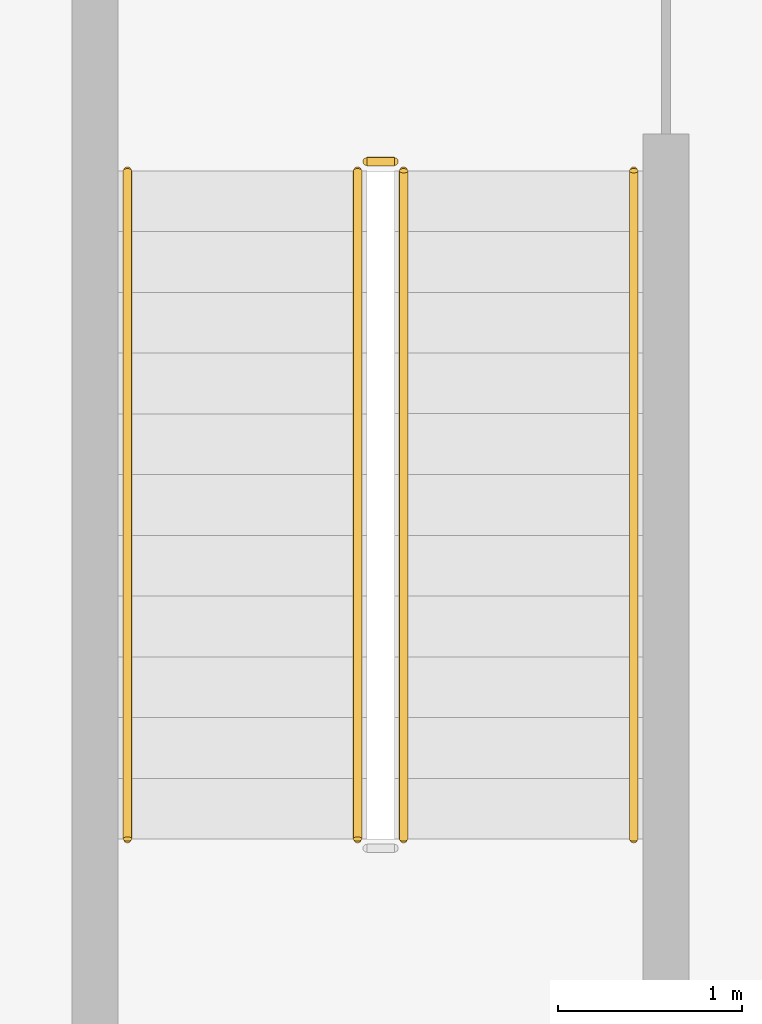
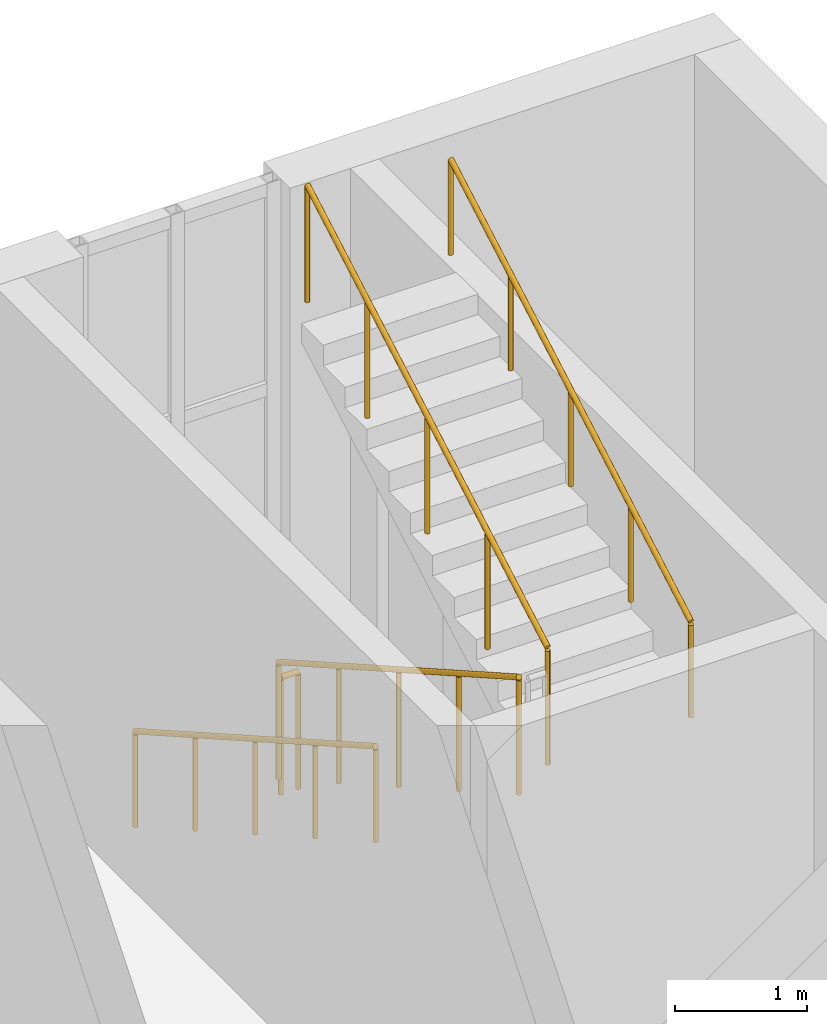
# One storey, part 125 of 131: 5 railings.
"""IFC4 building model written with IfcOpenShell, lengths in metres."""

import ifcopenshell
import ifcopenshell.guid

model = None  # the IFC model being written
_history = None  # IfcOwnerHistory: only IFC2X3 demands one
_inside = {}  # id of a spatial element -> (the spatial element, [elements in it])
_under = {}  # id of a project, library or spatial element -> (it, [spatial elements below it])
_declared = {}  # id of a project -> (the project, [libraries it declares])
_typed = {}  # id of a type object -> (the type object, [elements of that type])
_made_of = {}  # id of a material, layer set ... -> (it, [elements and type objects made of it])


def new_model(schema):
    """Start an empty IFC model of exactly this schema.

    Asked for "IFC4X3", IfcOpenShell would pick the latest addendum, in which some entities
    have other attributes; the version numbers below select the first issue.
    IFC2X3 requires an IfcOwnerHistory on every rooted entity: one is made here for all.
    """
    global model, _history
    if schema == "IFC4X3":
        model = ifcopenshell.file(schema_version=(4, 3, 0, 0))
    else:
        model = ifcopenshell.file(schema=schema)
    _inside.clear()
    _under.clear()
    _declared.clear()
    _typed.clear()
    _made_of.clear()
    _history = None
    if model.schema == "IFC2X3":
        org = make("IfcOrganization", Name="unknown")
        user = make(
            "IfcPersonAndOrganization",
            ThePerson=make("IfcPerson", FamilyName="unknown"),
            TheOrganization=org,
        )
        app = make(
            "IfcApplication",
            ApplicationDeveloper=org,
            Version="unknown",
            ApplicationFullName="unknown",
            ApplicationIdentifier="unknown",
        )
        _history = make(
            "IfcOwnerHistory",
            OwningUser=user,
            OwningApplication=app,
            ChangeAction="ADDED",
            CreationDate=0,
        )
    return model


def make(cls, **values):
    """One entity of the class cls with the attributes given. An attribute that is None is left unset."""
    return model.create_entity(
        cls, **{name: value for name, value in values.items() if value is not None}
    )


def rooted(cls, **values):
    """An entity with a GlobalId (a new one), such as an element, a storey or a relation."""
    return make(cls, GlobalId=ifcopenshell.guid.new(), OwnerHistory=_history, **values)


def si_unit(unit_type, name, prefix=None):
    """IfcSIUnit, for example si_unit("LENGTHUNIT", "METRE", prefix="MILLI")."""
    return make("IfcSIUnit", UnitType=unit_type, Prefix=prefix, Name=name)


def assignment(units):
    """IfcUnitAssignment: the units of a project."""
    return None if units is None else make("IfcUnitAssignment", Units=units)


def point(xyz):
    """IfcCartesianPoint."""
    return None if xyz is None else make("IfcCartesianPoint", Coordinates=xyz)


def direction(xyz):
    """IfcDirection."""
    return None if xyz is None else make("IfcDirection", DirectionRatios=xyz)


def frame(location, z_axis=None, x_axis=None):
    """IfcAxis2Placement3D, a coordinate frame: its origin and axes. An axis left out is left unset."""
    return make(
        "IfcAxis2Placement3D",
        Location=point(location),
        Axis=direction(z_axis),
        RefDirection=direction(x_axis),
    )


def frame_2d(location, x_axis=None):
    """IfcAxis2Placement2D, a coordinate frame in the plane: its origin and x axis."""
    return make(
        "IfcAxis2Placement2D", Location=point(location), RefDirection=direction(x_axis)
    )


def origin():
    """The frame at (0, 0, 0) with its axes left unset."""
    return frame((0.0, 0.0, 0.0))


def origin_2d():
    """The frame at (0, 0) in the plane with its x axis left unset."""
    return frame_2d((0.0, 0.0))


def place(relative_to, where):
    """IfcLocalPlacement: puts the frame where relative to a parent placement (None: the world)."""
    return make(
        "IfcLocalPlacement", PlacementRelTo=relative_to, RelativePlacement=where
    )


def context(
    kind, dimensions, precision=None, world=None, true_north=None, identifier=None
):
    """IfcGeometricRepresentationContext, for example the 3D "Model" context."""
    return make(
        "IfcGeometricRepresentationContext",
        ContextIdentifier=identifier,
        ContextType=kind,
        CoordinateSpaceDimension=dimensions,
        Precision=precision,
        WorldCoordinateSystem=world,
        TrueNorth=true_north,
    )


def subcontext(parent, identifier, kind, view, scale=None):
    """IfcGeometricRepresentationSubContext, for example "Body" below "Model"."""
    return make(
        "IfcGeometricRepresentationSubContext",
        ContextIdentifier=identifier,
        ContextType=kind,
        ParentContext=parent,
        TargetScale=scale,
        TargetView=view,
    )


def project(units=None, contexts=None):
    """IfcProject with its units and contexts."""
    return rooted(
        "IfcProject",
        Name="project",
        RepresentationContexts=contexts,
        UnitsInContext=assignment(units),
    )


def spatial(cls, under=None, at=None, **own):
    """A site, building, storey or space (cls), placed at a placement, below another one or the project."""
    s = rooted(cls, ObjectPlacement=at, **own)
    if under is not None:
        _under.setdefault(under.id(), (under, []))[1].append(s)
    return s


def profile(cls, at=None, kind="AREA", **sizes):
    """A parametric profile (cls). Its sizes go by their IFC names, for example OverallWidth=200.0."""
    return make(cls, ProfileType=kind, Position=at, **sizes)


def circle(**sizes):
    """IfcCircleProfileDef."""
    return profile("IfcCircleProfileDef", **sizes)


def extrude(swept, where, along, depth):
    """IfcExtrudedAreaSolid: the profile swept, set in the frame where, extruded along a direction by depth."""
    return make(
        "IfcExtrudedAreaSolid",
        SweptArea=swept,
        Position=where,
        ExtrudedDirection=direction(along),
        Depth=depth,
    )


def shape(context_of_items, identifier, shape_type, items):
    """IfcShapeRepresentation: the items that make up one representation, for example the "Body"."""
    return make(
        "IfcShapeRepresentation",
        ContextOfItems=context_of_items,
        RepresentationIdentifier=identifier,
        RepresentationType=shape_type,
        Items=items,
    )


def material(Name=None, Category=None):
    """IfcMaterial."""
    return make("IfcMaterial", Name=Name, Category=Category)


def made_of(thing, what):
    """Note that an element or type object is made of a material, layer set ...; save() writes the relation."""
    if what is not None:
        _made_of.setdefault(what.id(), (what, []))[1].append(thing)
    return thing


def type_object(cls, material=None, **own):
    """A type object (cls), such as IfcWallType, which elements share."""
    return made_of(rooted(cls, **own), material)


def element(
    cls,
    number,
    at=None,
    inside=None,
    cuts=None,
    type_object=None,
    material=None,
    context=None,
    identifier="Body",
    shape_type=None,
    held_by="IfcProductDefinitionShape",
    body=None,
    shapes=None,
    **own,
):
    """One element of the class cls, such as IfcWall. Its Tag is "e" and its number.

    at: its placement. inside: the storey or other place that contains it. cuts: it is an
    opening in that element (IfcRelVoidsElement). A single representation is given by context,
    identifier, shape_type and body (its items); several are given by shapes. held_by: the class
    of the entity that holds the representations. save() writes the other relations.
    """
    e = rooted(cls, Tag="e%d" % number, ObjectPlacement=at, **own)
    if body is not None:
        shapes = [shape(context, identifier, shape_type, body)]
    if shapes is not None:
        e.Representation = make(held_by, Representations=shapes)
    if inside is not None:
        _inside.setdefault(inside.id(), (inside, []))[1].append(e)
    if cuts is not None:
        rooted(
            "IfcRelVoidsElement", RelatingBuildingElement=cuts, RelatedOpeningElement=e
        )
    if type_object is not None:
        _typed.setdefault(type_object.id(), (type_object, []))[1].append(e)
    return made_of(e, material)


def aggregate(whole, parts):
    """IfcRelAggregates: a whole, such as a stair, and the parts it consists of."""
    return rooted("IfcRelAggregates", RelatingObject=whole, RelatedObjects=parts)


def save(model, path):
    """Write the relations noted so far, then the file.

    IfcRelAggregates (storeys below a building ...), IfcRelContainedInSpatialStructure (elements
    in a storey), IfcRelDefinesByType, IfcRelAssociatesMaterial and IfcRelDeclares: one each for
    every whole, place, type object, material and project.
    """
    for whole, parts in _under.values():
        aggregate(whole, parts)
    for where, things in _inside.values():
        rooted(
            "IfcRelContainedInSpatialStructure",
            RelatedElements=things,
            RelatingStructure=where,
        )
    for kind, things in _typed.values():
        rooted("IfcRelDefinesByType", RelatedObjects=things, RelatingType=kind)
    for what, things in _made_of.values():
        rooted("IfcRelAssociatesMaterial", RelatedObjects=things, RelatingMaterial=what)
    for by, libraries in _declared.values():
        rooted("IfcRelDeclares", RelatingContext=by, RelatedDefinitions=libraries)
    model.write(path)


model = new_model("IFC4")

# Units and contexts
model_context = context("Model", 3, precision=1e-05, world=origin(), true_north=direction((0.0, 1.0)))
body_context = subcontext(model_context, "Body", "Model", "MODEL_VIEW")
ifc_project = project(units=[si_unit("LENGTHUNIT", "METRE"), si_unit("AREAUNIT", "SQUARE_METRE"), si_unit("VOLUMEUNIT", "CUBIC_METRE"), si_unit("PLANEANGLEUNIT", "RADIAN"), si_unit("MASSUNIT", "GRAM", prefix="KILO")], contexts=[model_context])

# Site, building, storey
site_placement = place(None, origin())
site = spatial("IfcSite", under=ifc_project, at=site_placement, CompositionType="ELEMENT")
building_placement = place(site_placement, origin())
building = spatial("IfcBuilding", under=site, at=building_placement, Name="Golden Quay Civic Hall", CompositionType="ELEMENT")
storey_placement = place(building_placement, frame((0.0, 0.0, 9.89990234375)))
storey = spatial("IfcBuildingStorey", under=building, at=storey_placement, Name="L02", CompositionType="ELEMENT", Elevation=9.89990234375)

# Railings
ifc_material_1 = material(Name="Steel S355", Category="steel")
railing_type_1 = type_object("IfcRailingType", Name="Steel guard 1100", PredefinedType="GUARDRAIL", material=ifc_material_1)
railing_1_placement = place(storey_placement, frame((103.25, 106.199951171875, 0.1875)))
element("IfcRailing", 1, at=railing_1_placement, inside=storey, type_object=railing_type_1, Name="L02 CB-NE stair guard 1", PredefinedType="GUARDRAIL", context=body_context, shape_type="SweptSolid", body=[
    extrude(circle(Radius=0.02392578125, at=origin_2d()), frame((0.0, 0.0, 1.076171875), z_axis=(0.0, -0.869449707104, 0.494021463923), x_axis=(1.0, 0.0, 0.0)), (0.0, 0.0, 1.0), 4.1748046875),
    extrude(circle(Radius=0.02099609375, at=origin_2d()), origin(), (0.0, 0.0, 1.0), 1.052001953125),
    extrude(circle(Radius=0.02099609375, at=origin_2d()), frame((0.0, -0.907470703125, 0.515625)), (0.0, 0.0, 1.0), 1.052001953125),
    extrude(circle(Radius=0.02099609375, at=origin_2d()), frame((0.0, -1.81494140625, 1.03125)), (0.0, 0.0, 1.0), 1.052001953125),
    extrude(circle(Radius=0.02099609375, at=origin_2d()), frame((0.0, -2.722412109375, 1.546875)), (0.0, 0.0, 1.0), 1.052001953125),
    extrude(circle(Radius=0.02099609375, at=origin_2d()), frame((0.0, -3.6298828125, 2.0625)), (0.0, 0.0, 1.0), 1.052001953125),
])
railing_2_placement = place(storey_placement, frame((103.5, 102.570068359375, 2.4375)))
element("IfcRailing", 2, at=railing_2_placement, inside=storey, type_object=railing_type_1, Name="L02 CB-NE stair guard 3", PredefinedType="GUARDRAIL", context=body_context, shape_type="SweptSolid", body=[
    extrude(circle(Radius=0.02392578125, at=origin_2d()), frame((0.0, 0.0, 1.076171875), z_axis=(0.0, 0.869449707104, 0.494021463923), x_axis=(-1.0, 0.0, 0.0)), (0.0, 0.0, 1.0), 4.1748046875),
    extrude(circle(Radius=0.02099609375, at=origin_2d()), origin(), (0.0, 0.0, 1.0), 1.052001953125),
    extrude(circle(Radius=0.02099609375, at=origin_2d()), frame((0.0, 0.907470703125, 0.515625)), (0.0, 0.0, 1.0), 1.052001953125),
    extrude(circle(Radius=0.02099609375, at=origin_2d()), frame((0.0, 1.81494140625, 1.03125)), (0.0, 0.0, 1.0), 1.052001953125),
    extrude(circle(Radius=0.02099609375, at=origin_2d()), frame((0.0, 2.722412109375, 1.546875)), (0.0, 0.0, 1.0), 1.052001953125),
    extrude(circle(Radius=0.02099609375, at=origin_2d()), frame((0.0, 3.6298828125, 2.0625)), (0.0, 0.0, 1.0), 1.052001953125),
])
railing_3_placement = place(storey_placement, frame((103.300048828125, 106.25, 0.0)))
element("IfcRailing", 3, at=railing_3_placement, inside=storey, type_object=railing_type_1, Name="L02 CB-NE stair guard 4", PredefinedType="GUARDRAIL", context=body_context, shape_type="SweptSolid", body=[
    extrude(circle(Radius=0.02392578125, at=origin_2d()), frame((0.0, 0.0, 1.076171875), z_axis=(1.0, 0.0, 0.0), x_axis=(0.0, 1.0, 0.0)), (0.0, 0.0, 1.0), 0.14990234375),
    extrude(circle(Radius=0.02099609375, at=origin_2d()), origin(), (0.0, 0.0, 1.0), 1.052001953125),
    extrude(circle(Radius=0.02099609375, at=origin_2d()), frame((0.14990234375, 0.0, 0.0)), (0.0, 0.0, 1.0), 1.052001953125),
])
ifc_material_2 = material(Name="Steel S355", Category="steel")
railing_type_2 = type_object("IfcRailingType", Name="Steel handrail 900", PredefinedType="HANDRAIL", material=ifc_material_2)
railing_4_placement = place(storey_placement, frame((102.0, 106.199951171875, 0.1875)))
element("IfcRailing", 4, at=railing_4_placement, inside=storey, type_object=railing_type_2, Name="L02 CB-NE stair handrail 1", PredefinedType="HANDRAIL", context=body_context, shape_type="SweptSolid", body=[
    extrude(circle(Radius=0.02392578125, at=origin_2d()), frame((0.0, 0.0, 0.8759765625), z_axis=(0.0, -0.869449707104, 0.494021463923), x_axis=(1.0, 0.0, 0.0)), (0.0, 0.0, 1.0), 4.1748046875),
    extrude(circle(Radius=0.02099609375, at=origin_2d()), origin(), (0.0, 0.0, 1.0), 0.851806640625),
    extrude(circle(Radius=0.02099609375, at=origin_2d()), frame((0.0, -0.907470703125, 0.515625)), (0.0, 0.0, 1.0), 0.851806640625),
    extrude(circle(Radius=0.02099609375, at=origin_2d()), frame((0.0, -1.81494140625, 1.03125)), (0.0, 0.0, 1.0), 0.851806640625),
    extrude(circle(Radius=0.02099609375, at=origin_2d()), frame((0.0, -2.722412109375, 1.546875)), (0.0, 0.0, 1.0), 0.851806640625),
    extrude(circle(Radius=0.02099609375, at=origin_2d()), frame((0.0, -3.6298828125, 2.0625)), (0.0, 0.0, 1.0), 0.851806640625),
])
railing_5_placement = place(storey_placement, frame((104.75, 102.570068359375, 2.4375)))
element("IfcRailing", 5, at=railing_5_placement, inside=storey, type_object=railing_type_2, Name="L02 CB-NE stair handrail 2", PredefinedType="HANDRAIL", context=body_context, shape_type="SweptSolid", body=[
    extrude(circle(Radius=0.02392578125, at=origin_2d()), frame((0.0, 0.0, 0.8759765625), z_axis=(0.0, 0.869449707104, 0.494021463923), x_axis=(-1.0, 0.0, 0.0)), (0.0, 0.0, 1.0), 4.1748046875),
    extrude(circle(Radius=0.02099609375, at=origin_2d()), origin(), (0.0, 0.0, 1.0), 0.851806640625),
    extrude(circle(Radius=0.02099609375, at=origin_2d()), frame((0.0, 0.907470703125, 0.515625)), (0.0, 0.0, 1.0), 0.851806640625),
    extrude(circle(Radius=0.02099609375, at=origin_2d()), frame((0.0, 1.81494140625, 1.03125)), (0.0, 0.0, 1.0), 0.851806640625),
    extrude(circle(Radius=0.02099609375, at=origin_2d()), frame((0.0, 2.722412109375, 1.546875)), (0.0, 0.0, 1.0), 0.851806640625),
    extrude(circle(Radius=0.02099609375, at=origin_2d()), frame((0.0, 3.6298828125, 2.0625)), (0.0, 0.0, 1.0), 0.851806640625),
])

save(model, "model.ifc")
